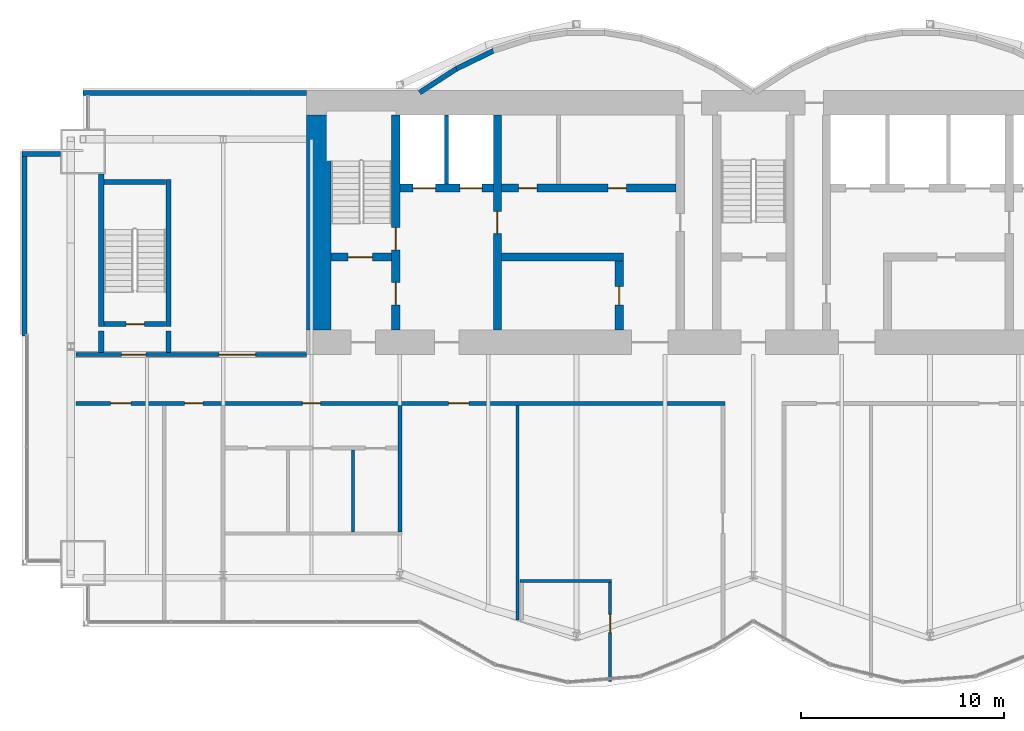
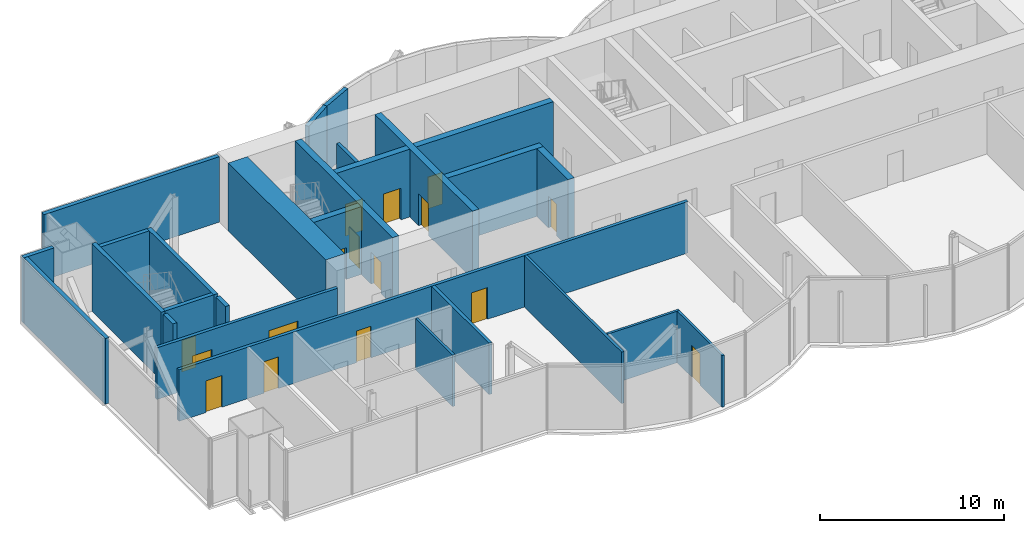
# One storey, part 12 of 18: 26 walls, 17 doors, 17 openings.
"""IFC4 building model written with IfcOpenShell, lengths in metres."""

from ifc_helpers import new_model, si_unit, direction, frame, frame_2d, origin, place, context, subcontext, project, spatial, rectangle, extrude, material, layer, layer_set, layer_usage, type_object, element, fill, save


model = new_model("IFC4")

# Units and contexts
model_context = context("Model", 3, precision=1e-05, world=origin(), true_north=direction((0.0, 1.0)))
body_context = subcontext(model_context, "Body", "Model", "MODEL_VIEW")
ifc_project = project(units=[si_unit("LENGTHUNIT", "METRE"), si_unit("AREAUNIT", "SQUARE_METRE"), si_unit("VOLUMEUNIT", "CUBIC_METRE"), si_unit("PLANEANGLEUNIT", "RADIAN"), si_unit("MASSUNIT", "GRAM", prefix="KILO")], contexts=[model_context])

# Site, building, storey
site_placement = place(None, origin())
site = spatial("IfcSite", under=ifc_project, at=site_placement, CompositionType="ELEMENT")
building_placement = place(site_placement, origin())
building = spatial("IfcBuilding", under=site, at=building_placement, Name="Bicima Exchange Tower", CompositionType="ELEMENT")
storey_placement = place(building_placement, frame((0.0, 0.0, 311.0)))
storey = spatial("IfcBuildingStorey", under=building, at=storey_placement, Name="L70", CompositionType="ELEMENT", Elevation=311.0)

# Wall
ifc_material_1 = material(Name="Gypsum board partition")
ifc_layer_1 = layer(ifc_material_1, 0.199951171875)
ifc_layer_set_1 = layer_set([ifc_layer_1], Name="Gypsum board partition")
wall_type_1 = type_object("IfcWallType", Name="Fire-rated gypsum partition 200 EI120", PredefinedType="PARTITIONING", material=ifc_layer_set_1)
wall_1_placement = place(storey_placement, frame((-15.10009765625, -4.60009765625, 0.0), z_axis=(0.0, 0.0, 1.0), x_axis=(0.0, 1.0, 0.0)))
element("IfcWall", 1, at=wall_1_placement, inside=storey, type_object=wall_type_1, Name="partition wall 9", PredefinedType="PARTITIONING", context=body_context, shape_type="SweptSolid", body=[
    extrude(rectangle(XDim=3.400146484375, YDim=0.199951171875, at=frame_2d((1.7001953125, 0.0))), origin(), (0.0, 0.0, 1.0), 3.418212890625),
])

# Wall, openings, doors
ifc_layer_2 = layer(ifc_material_1, 0.199951171875)
ifc_layer_set_2 = layer_set([ifc_layer_2], Name="Gypsum board partition")
wall_type_2 = type_object("IfcWallType", Name="Fire-rated gypsum partition 200 EI60", PredefinedType="PARTITIONING", material=ifc_layer_set_2)
wall_2_placement = place(storey_placement, frame((-33.340087890625, -15.39990234375, 0.0), z_axis=(0.0, 0.0, 1.0), x_axis=(1.0, 0.0, 0.0)))
wall_2 = element("IfcWall", 2, at=wall_2_placement, inside=storey, type_object=wall_type_2, Name="partition wall 4", PredefinedType="PARTITIONING", context=body_context, shape_type="SweptSolid", body=[
    extrude(rectangle(XDim=31.940185546875, YDim=0.199951171875, at=frame_2d((15.97021484375, 0.0))), origin(), (0.0, 0.0, 1.0), 3.418212890625),
])
opening_1_placement = place(wall_2_placement, frame((1.699951171875, 0.0, 0.0)))
opening_1 = element("IfcOpeningElement", 3, at=opening_1_placement, cuts=wall_2, Name="Opening L70-007", PredefinedType="OPENING", context=body_context, shape_type="SweptSolid", body=[
    extrude(rectangle(XDim=1.0, YDim=2.10009765625, at=frame_2d((0.5, 1.050048828125))), frame((0.0, 0.11181640625, 0.0), z_axis=(0.0, -1.0, 0.0), x_axis=(1.0, 0.0, 0.0)), (0.0, 0.0, 1.0), 0.223876953125),
])
opening_2_placement = place(wall_2_placement, frame((5.340087890625, 0.0, 0.0)))
opening_2 = element("IfcOpeningElement", 4, at=opening_2_placement, cuts=wall_2, Name="Opening L70-008", PredefinedType="OPENING", context=body_context, shape_type="SweptSolid", body=[
    extrude(rectangle(XDim=0.89990234375, YDim=2.10009765625, at=frame_2d((0.449951171875, 1.050048828125))), frame((0.0, 0.11181640625, 0.0), z_axis=(0.0, -1.0, 0.0), x_axis=(1.0, 0.0, 0.0)), (0.0, 0.0, 1.0), 0.223876953125),
])
opening_3_placement = place(wall_2_placement, frame((11.139892578125, 0.0, 0.0)))
opening_3 = element("IfcOpeningElement", 5, at=opening_3_placement, cuts=wall_2, Name="Opening L70-009", PredefinedType="OPENING", context=body_context, shape_type="SweptSolid", body=[
    extrude(rectangle(XDim=0.89990234375, YDim=2.10009765625, at=frame_2d((0.449951171875, 1.050048828125))), frame((0.0, 0.11181640625, 0.0), z_axis=(0.0, -1.0, 0.0), x_axis=(1.0, 0.0, 0.0)), (0.0, 0.0, 1.0), 0.223876953125),
])
opening_4_placement = place(wall_2_placement, frame((18.340087890625, 0.0, 0.0)))
opening_4 = element("IfcOpeningElement", 6, at=opening_4_placement, cuts=wall_2, Name="Opening L70-013", PredefinedType="OPENING", context=body_context, shape_type="SweptSolid", body=[
    extrude(rectangle(XDim=1.0, YDim=2.10009765625, at=frame_2d((0.5, 1.050048828125))), frame((0.0, 0.11181640625, 0.0), z_axis=(0.0, -1.0, 0.0), x_axis=(1.0, 0.0, 0.0)), (0.0, 0.0, 1.0), 0.223876953125),
])
ifc_material_2 = material(Name="Steel fire door leaf", Category="steel")
door_type_1 = type_object("IfcDoorType", Name="Door 1000 swing FD30S", OperationType="SINGLE_SWING_LEFT", PredefinedType="DOOR", material=ifc_material_2)
door_1_placement = place(opening_1_placement, frame((1.0, 0.0, 0.0), z_axis=(0.0, 0.0, 1.0), x_axis=(-1.0, 0.0, 0.0)))
door_1 = element("IfcDoor", 7, at=door_1_placement, inside=storey, type_object=door_type_1, Name="Door", OperationType="SINGLE_SWING_LEFT", OverallHeight=2.10009765625, OverallWidth=1.0, PredefinedType="DOOR", context=body_context, shape_type="SweptSolid", body=[
    extrude(rectangle(XDim=1.0, YDim=2.10009765625, at=frame_2d((0.5, 1.050048828125))), frame((0.0, 0.02490234375, 0.0), z_axis=(0.0, -1.0, 0.0), x_axis=(1.0, 0.0, 0.0)), (0.0, 0.0, 1.0), 0.050048828125),
])
fill(opening_1, door_1)
door_2_placement = place(opening_4_placement, frame((1.0, 0.0, 0.0), z_axis=(0.0, 0.0, 1.0), x_axis=(-1.0, 0.0, 0.0)))
door_2 = element("IfcDoor", 8, at=door_2_placement, inside=storey, type_object=door_type_1, Name="Door", OperationType="SINGLE_SWING_LEFT", OverallHeight=2.10009765625, OverallWidth=1.0, PredefinedType="DOOR", context=body_context, shape_type="SweptSolid", body=[
    extrude(rectangle(XDim=1.0, YDim=2.10009765625, at=frame_2d((0.5, 1.050048828125))), frame((0.0, 0.02490234375, 0.0), z_axis=(0.0, -1.0, 0.0), x_axis=(1.0, 0.0, 0.0)), (0.0, 0.0, 1.0), 0.050048828125),
])
fill(opening_4, door_2)
door_type_2 = type_object("IfcDoorType", Name="Door 900 swing FD30S", OperationType="SINGLE_SWING_LEFT", PredefinedType="DOOR", material=ifc_material_2)
door_3_placement = place(opening_2_placement, frame((0.89990234375, 0.0, 0.0), z_axis=(0.0, 0.0, 1.0), x_axis=(-1.0, 0.0, 0.0)))
door_3 = element("IfcDoor", 9, at=door_3_placement, inside=storey, type_object=door_type_2, Name="Door", OperationType="SINGLE_SWING_RIGHT", OverallHeight=2.10009765625, OverallWidth=0.89990234375, PredefinedType="DOOR", context=body_context, shape_type="SweptSolid", body=[
    extrude(rectangle(XDim=0.89990234375, YDim=2.10009765625, at=frame_2d((0.449951171875, 1.050048828125))), frame((0.0, 0.02490234375, 0.0), z_axis=(0.0, -1.0, 0.0), x_axis=(1.0, 0.0, 0.0)), (0.0, 0.0, 1.0), 0.050048828125),
])
fill(opening_2, door_3)
door_4_placement = place(opening_3_placement, frame((0.89990234375, 0.0, 0.0), z_axis=(0.0, 0.0, 1.0), x_axis=(-1.0, 0.0, 0.0)))
door_4 = element("IfcDoor", 10, at=door_4_placement, inside=storey, type_object=door_type_2, Name="Door", OperationType="SINGLE_SWING_RIGHT", OverallHeight=2.10009765625, OverallWidth=0.89990234375, PredefinedType="DOOR", context=body_context, shape_type="SweptSolid", body=[
    extrude(rectangle(XDim=0.89990234375, YDim=2.10009765625, at=frame_2d((0.449951171875, 1.050048828125))), frame((0.0, 0.02490234375, 0.0), z_axis=(0.0, -1.0, 0.0), x_axis=(1.0, 0.0, 0.0)), (0.0, 0.0, 1.0), 0.050048828125),
])
fill(opening_3, door_4)

wall_3_placement = place(storey_placement, frame((-33.340087890625, -13.0, 0.0), z_axis=(0.0, 0.0, 1.0), x_axis=(1.0, 0.0, 0.0)))
wall_3 = element("IfcWall", 11, at=wall_3_placement, inside=storey, type_object=wall_type_2, Name="partition wall 6", PredefinedType="PARTITIONING", context=body_context, shape_type="SweptSolid", body=[
    extrude(rectangle(XDim=11.340087890625, YDim=0.199951171875, at=frame_2d((5.669921875, 0.0))), origin(), (0.0, 0.0, 1.0), 3.418212890625),
])
opening_5_placement = place(wall_3_placement, frame((2.239990234375, 0.0, 0.0)))
opening_5 = element("IfcOpeningElement", 12, at=opening_5_placement, cuts=wall_3, Name="Opening L70-001", PredefinedType="OPENING", context=body_context, shape_type="SweptSolid", body=[
    extrude(rectangle(XDim=1.199951171875, YDim=2.10009765625, at=frame_2d((0.60009765625, 1.050048828125))), frame((0.0, 0.11181640625, 0.0), z_axis=(0.0, -1.0, 0.0), x_axis=(1.0, 0.0, 0.0)), (0.0, 0.0, 1.0), 0.223876953125),
])
opening_6_placement = place(wall_3_placement, frame((7.0400390625, 0.0, 0.0)))
opening_6 = element("IfcOpeningElement", 13, at=opening_6_placement, cuts=wall_3, Name="Opening L70-005", PredefinedType="OPENING", context=body_context, shape_type="SweptSolid", body=[
    extrude(rectangle(XDim=1.800048828125, YDim=2.10009765625, at=frame_2d((0.89990234375, 1.050048828125))), frame((0.0, 0.11181640625, 0.0), z_axis=(0.0, -1.0, 0.0), x_axis=(1.0, 0.0, 0.0)), (0.0, 0.0, 1.0), 0.223876953125),
])
door_type_3 = type_object("IfcDoorType", Name="Door 1200 swing FD30S", OperationType="SINGLE_SWING_LEFT", PredefinedType="DOOR", material=ifc_material_2)
door_5_placement = place(opening_5_placement, origin())
door_5 = element("IfcDoor", 14, at=door_5_placement, inside=storey, type_object=door_type_3, Name="Door", OperationType="SINGLE_SWING_LEFT", OverallHeight=2.10009765625, OverallWidth=1.199951171875, PredefinedType="DOOR", context=body_context, shape_type="SweptSolid", body=[
    extrude(rectangle(XDim=1.199951171875, YDim=2.10009765625, at=frame_2d((0.60009765625, 1.050048828125))), frame((0.0, 0.02490234375, 0.0), z_axis=(0.0, -1.0, 0.0), x_axis=(1.0, 0.0, 0.0)), (0.0, 0.0, 1.0), 0.050048828125),
])
fill(opening_5, door_5)
door_type_4 = type_object("IfcDoorType", Name="Door 1800 double swing FD30S", OperationType="DOUBLE_DOOR_SINGLE_SWING", PredefinedType="DOOR", material=ifc_material_2)
door_6_placement = place(opening_6_placement, origin())
door_6 = element("IfcDoor", 15, at=door_6_placement, inside=storey, type_object=door_type_4, Name="Door", OperationType="SINGLE_SWING_LEFT", OverallHeight=2.10009765625, OverallWidth=1.800048828125, PredefinedType="DOOR", context=body_context, shape_type="SweptSolid", body=[
    extrude(rectangle(XDim=1.800048828125, YDim=2.10009765625, at=frame_2d((0.89990234375, 1.050048828125))), frame((0.0, 0.02490234375, 0.0), z_axis=(0.0, -1.0, 0.0), x_axis=(1.0, 0.0, 0.0)), (0.0, 0.0, 1.0), 0.050048828125),
])
fill(opening_6, door_6)

# Walls
wall_4_placement = place(storey_placement, frame((-17.39990234375, -21.72509765625, 0.0), z_axis=(0.0, 0.0, 1.0), x_axis=(0.0, 1.0, 0.0)))
element("IfcWall", 16, at=wall_4_placement, inside=storey, type_object=wall_type_2, Name="partition wall 18", PredefinedType="PARTITIONING", context=body_context, shape_type="SweptSolid", body=[
    extrude(rectangle(XDim=6.22509765625, YDim=0.199951171875, at=frame_2d((3.112548828125, 0.0))), origin(), (0.0, 0.0, 1.0), 3.418212890625),
])
ifc_layer_3 = layer(ifc_material_1, 0.14990234375)
ifc_layer_set_3 = layer_set([ifc_layer_3], Name="Gypsum board partition")
wall_type_3 = type_object("IfcWallType", Name="Gypsum partition 150", PredefinedType="PARTITIONING", material=ifc_layer_set_3)
wall_5_placement = place(storey_placement, frame((-11.47509765625, -24.139892578125, 0.0), z_axis=(0.0, 0.0, 1.0), x_axis=(1.0, 0.0, 0.0)))
element("IfcWall", 17, at=wall_5_placement, inside=storey, type_object=wall_type_3, Name="partition wall 1", PredefinedType="PARTITIONING", context=body_context, shape_type="SweptSolid", body=[
    extrude(rectangle(XDim=4.5, YDim=0.14990234375, at=frame_2d((2.25, 0.0))), origin(), (0.0, 0.0, 1.0), 3.418212890625),
])
wall_6_placement = place(storey_placement, frame((-19.699951171875, -21.72509765625, 0.0), z_axis=(0.0, 0.0, 1.0), x_axis=(0.0, 1.0, 0.0)))
element("IfcWall", 18, at=wall_6_placement, inside=storey, type_object=wall_type_3, Name="partition wall 17", PredefinedType="PARTITIONING", context=body_context, shape_type="SweptSolid", body=[
    extrude(rectangle(XDim=4.025146484375, YDim=0.14990234375, at=frame_2d((2.0126953125, 0.0))), origin(), (0.0, 0.0, 1.0), 3.418212890625),
])
wall_7_placement = place(storey_placement, frame((-11.60009765625, -26.071044921875, 0.0), z_axis=(0.0, 0.0, 1.0), x_axis=(0.0, 1.0, 0.0)))
element("IfcWall", 19, at=wall_7_placement, inside=storey, type_object=wall_type_3, Name="partition wall 19", PredefinedType="PARTITIONING", context=body_context, shape_type="SweptSolid", body=[
    extrude(rectangle(XDim=10.571044921875, YDim=0.14990234375, at=frame_2d((5.28564453125, 0.0))), origin(), (0.0, 0.0, 1.0), 3.418212890625),
])

# Wall, opening, door
wall_8_placement = place(storey_placement, frame((-7.050048828125, -29.090087890625, 0.0), z_axis=(0.0, 0.0, 1.0), x_axis=(0.0, 1.0, 0.0)))
wall_8 = element("IfcWall", 20, at=wall_8_placement, inside=storey, type_object=wall_type_3, Name="partition wall 21", PredefinedType="PARTITIONING", context=body_context, shape_type="SweptSolid", body=[
    extrude(rectangle(XDim=4.875, YDim=0.14990234375, at=frame_2d((2.4375, 0.0))), origin(), (0.0, 0.0, 1.0), 3.418212890625),
])
opening_7_placement = place(wall_8_placement, frame((2.39990234375, 0.0, 0.0)))
opening_7 = element("IfcOpeningElement", 21, at=opening_7_placement, cuts=wall_8, Name="Opening L70-019", PredefinedType="OPENING", context=body_context, shape_type="SweptSolid", body=[
    extrude(rectangle(XDim=0.89990234375, YDim=2.10009765625, at=frame_2d((0.449951171875, 1.050048828125))), frame((0.0, 0.0869140625, 0.0), z_axis=(0.0, -1.0, 0.0), x_axis=(1.0, 0.0, 0.0)), (0.0, 0.0, 1.0), 0.173828125),
])
ifc_material_3 = material(Name="Timber door leaf", Category="wood")
door_type_5 = type_object("IfcDoorType", Name="Door 900 swing", OperationType="SINGLE_SWING_LEFT", PredefinedType="DOOR", material=ifc_material_3)
door_7_placement = place(opening_7_placement, origin())
door_7 = element("IfcDoor", 22, at=door_7_placement, inside=storey, type_object=door_type_5, Name="Door", OperationType="SINGLE_SWING_LEFT", OverallHeight=2.10009765625, OverallWidth=0.89990234375, PredefinedType="DOOR", context=body_context, shape_type="SweptSolid", body=[
    extrude(rectangle(XDim=0.89990234375, YDim=2.10009765625, at=frame_2d((0.449951171875, 1.050048828125))), frame((0.0, 0.02490234375, 0.0), z_axis=(0.0, -1.0, 0.0), x_axis=(1.0, 0.0, 0.0)), (0.0, 0.0, 1.0), 0.050048828125),
])
fill(opening_7, door_7)

# Walls
ifc_material_4 = material(Name="Concrete C40/50", Category="concrete")
ifc_layer_4 = layer(ifc_material_4, 1.199951171875)
ifc_layer_set_4 = layer_set([ifc_layer_4], Name="Concrete C40/50")
wall_type_4 = type_object("IfcWallType", Name="RC core wall 1200 C40/50", PredefinedType="SHEAR", material=ifc_layer_set_4)
wall_9_placement = place(storey_placement, frame((-21.39990234375, -11.800048828125, 0.0), z_axis=(0.0, 0.0, 1.0), x_axis=(0.0, 1.0, 0.0)))
element("IfcWall", 23, at=wall_9_placement, inside=storey, type_object=wall_type_4, Name="Core wall west", PredefinedType="SHEAR", context=body_context, shape_type="SweptSolid", body=[
    extrude(rectangle(XDim=10.60009765625, YDim=1.199951171875, at=frame_2d((5.300048828125, 0.0))), origin(), (0.0, 0.0, 1.0), 4.5),
])
ifc_material_5 = material(Name="Concrete C50/60", Category="concrete")
ifc_layer_5 = layer(ifc_material_5, 0.25)
ifc_layer_set_5 = layer_set([ifc_layer_5], Name="Concrete C50/60")
wall_type_5 = type_object("IfcWallType", Name="RC core wall 250 C50/60", PredefinedType="SHEAR", material=ifc_layer_set_5)
for number, where, z_axis, x_axis, name in (
    (24, (-32.10009765625, -12.89990234375, 0.0), (0.0, 0.0, 1.0), (0.0, 1.0, 0.0), "stair wall 12"),
    (25, (-28.800048828125, -12.89990234375, 0.0), (0.0, 0.0, 1.0), (0.0, 1.0, 0.0), "stair wall 14"),
):
    element("IfcWall", number, at=place(storey_placement, frame(where, z_axis=z_axis, x_axis=x_axis)), inside=storey, type_object=wall_type_5, Name=name, PredefinedType="SHEAR", context=body_context, shape_type="SweptSolid", body=[
        extrude(rectangle(XDim=1.0498046875, YDim=0.25, at=frame_2d((0.52490234375, 0.0))), origin(), (0.0, 0.0, 1.0), 4.5),
    ])
ifc_layer_6 = layer(ifc_material_4, 0.39990234375)
ifc_layer_set_6 = layer_set([ifc_layer_6], Name="Concrete C40/50")
wall_type_6 = type_object("IfcWallType", Name="RC core wall 400 C40/50", PredefinedType="SHEAR", material=ifc_layer_set_6)
wall_10_placement = place(storey_placement, frame((-12.39990234375, -8.199951171875, 0.0), z_axis=(0.0, 0.0, 1.0), x_axis=(1.0, 0.0, 0.0)))
element("IfcWall", 26, at=wall_10_placement, inside=storey, type_object=wall_type_6, Name="shear wall 2", PredefinedType="SHEAR", context=body_context, shape_type="SweptSolid", body=[
    extrude(rectangle(XDim=6.0, YDim=0.39990234375, at=frame_2d((3.0, 0.0))), origin(), (0.0, 0.0, 1.0), 4.5),
])

# Wall, openings, doors
wall_11_placement = place(storey_placement, frame((-17.39990234375, -4.800048828125, 0.0), z_axis=(0.0, 0.0, 1.0), x_axis=(1.0, 0.0, 0.0)))
wall_11 = element("IfcWall", 27, at=wall_11_placement, inside=storey, type_object=wall_type_6, Name="shear wall 6", PredefinedType="SHEAR", context=body_context, shape_type="SweptSolid", body=[
    extrude(rectangle(XDim=13.599853515625, YDim=0.39990234375, at=frame_2d((6.7998046875, 0.0))), origin(), (0.0, 0.0, 1.0), 4.5),
])
opening_8_placement = place(wall_11_placement, frame((0.64990234375, 0.0, 0.0)))
opening_8 = element("IfcOpeningElement", 28, at=opening_8_placement, cuts=wall_11, Name="Opening LD-FF1-L70", PredefinedType="OPENING", context=body_context, shape_type="SweptSolid", body=[
    extrude(rectangle(XDim=1.10009765625, YDim=2.10009765625, at=frame_2d((0.550048828125, 1.050048828125))), frame((0.0, 0.2119140625, 0.0), z_axis=(0.0, -1.0, 0.0), x_axis=(1.0, 0.0, 0.0)), (0.0, 0.0, 1.0), 0.423828125),
])
opening_9_placement = place(wall_11_placement, frame((2.949951171875, 0.0, 0.0)))
opening_9 = element("IfcOpeningElement", 29, at=opening_9_placement, cuts=wall_11, Name="Opening LD-FF3-L70", PredefinedType="OPENING", context=body_context, shape_type="SweptSolid", body=[
    extrude(rectangle(XDim=1.10009765625, YDim=2.10009765625, at=frame_2d((0.550048828125, 1.050048828125))), frame((0.0, 0.2119140625, 0.0), z_axis=(0.0, -1.0, 0.0), x_axis=(1.0, 0.0, 0.0)), (0.0, 0.0, 1.0), 0.423828125),
])
opening_10_placement = place(wall_11_placement, frame((5.85009765625, 0.0, 0.0)))
opening_10 = element("IfcOpeningElement", 30, at=opening_10_placement, cuts=wall_11, Name="Opening L70-C12", PredefinedType="OPENING", context=body_context, shape_type="SweptSolid", body=[
    extrude(rectangle(XDim=0.89990234375, YDim=2.10009765625, at=frame_2d((0.449951171875, 1.050048828125))), frame((0.0, 0.2119140625, 0.0), z_axis=(0.0, -1.0, 0.0), x_axis=(1.0, 0.0, 0.0)), (0.0, 0.0, 1.0), 0.423828125),
])
opening_11_placement = place(wall_11_placement, frame((10.25, 0.0, 0.0)))
opening_11 = element("IfcOpeningElement", 31, at=opening_11_placement, cuts=wall_11, Name="Opening L70-C13", PredefinedType="OPENING", context=body_context, shape_type="SweptSolid", body=[
    extrude(rectangle(XDim=0.89990234375, YDim=2.10009765625, at=frame_2d((0.449951171875, 1.050048828125))), frame((0.0, 0.2119140625, 0.0), z_axis=(0.0, -1.0, 0.0), x_axis=(1.0, 0.0, 0.0)), (0.0, 0.0, 1.0), 0.423828125),
])
door_8_placement = place(opening_10_placement, origin())
door_8 = element("IfcDoor", 32, at=door_8_placement, inside=storey, type_object=door_type_2, Name="Core door", OperationType="SINGLE_SWING_RIGHT", OverallHeight=2.10009765625, OverallWidth=0.89990234375, PredefinedType="DOOR", context=body_context, shape_type="SweptSolid", body=[
    extrude(rectangle(XDim=0.89990234375, YDim=2.10009765625, at=frame_2d((0.449951171875, 1.050048828125))), frame((0.0, 0.02490234375, 0.0), z_axis=(0.0, -1.0, 0.0), x_axis=(1.0, 0.0, 0.0)), (0.0, 0.0, 1.0), 0.050048828125),
])
fill(opening_10, door_8)
door_9_placement = place(opening_11_placement, origin())
door_9 = element("IfcDoor", 33, at=door_9_placement, inside=storey, type_object=door_type_2, Name="Core door", OperationType="SINGLE_SWING_LEFT", OverallHeight=2.10009765625, OverallWidth=0.89990234375, PredefinedType="DOOR", context=body_context, shape_type="SweptSolid", body=[
    extrude(rectangle(XDim=0.89990234375, YDim=2.10009765625, at=frame_2d((0.449951171875, 1.050048828125))), frame((0.0, 0.02490234375, 0.0), z_axis=(0.0, -1.0, 0.0), x_axis=(1.0, 0.0, 0.0)), (0.0, 0.0, 1.0), 0.050048828125),
])
fill(opening_11, door_9)
ifc_material_6 = material(Name="Stainless steel", Category="steel")
door_type_6 = type_object("IfcDoorType", Name="Lift landing door 1100 sliding", OperationType="DOUBLE_DOOR_SLIDING", PredefinedType="DOOR", material=ifc_material_6)
door_10_placement = place(opening_8_placement, origin())
door_10 = element("IfcDoor", 34, at=door_10_placement, inside=storey, type_object=door_type_6, Name="Lift landing door FF1", OperationType="DOUBLE_DOOR_SLIDING", OverallHeight=2.10009765625, OverallWidth=1.10009765625, PredefinedType="DOOR", context=body_context, shape_type="SweptSolid", body=[
    extrude(rectangle(XDim=1.10009765625, YDim=2.10009765625, at=frame_2d((0.550048828125, 1.050048828125))), frame((0.0, 0.02490234375, 0.0), z_axis=(0.0, -1.0, 0.0), x_axis=(1.0, 0.0, 0.0)), (0.0, 0.0, 1.0), 0.050048828125),
])
fill(opening_8, door_10)
door_11_placement = place(opening_9_placement, origin())
door_11 = element("IfcDoor", 35, at=door_11_placement, inside=storey, type_object=door_type_6, Name="Lift landing door FF3", OperationType="DOUBLE_DOOR_SLIDING", OverallHeight=2.10009765625, OverallWidth=1.10009765625, PredefinedType="DOOR", context=body_context, shape_type="SweptSolid", body=[
    extrude(rectangle(XDim=1.10009765625, YDim=2.10009765625, at=frame_2d((0.550048828125, 1.050048828125))), frame((0.0, 0.02490234375, 0.0), z_axis=(0.0, -1.0, 0.0), x_axis=(1.0, 0.0, 0.0)), (0.0, 0.0, 1.0), 0.050048828125),
])
fill(opening_9, door_11)

# Wall, opening, door
wall_12_placement = place(storey_placement, frame((-12.60009765625, -11.800048828125, 0.0), z_axis=(0.0, 0.0, 1.0), x_axis=(0.0, 1.0, 0.0)))
wall_12 = element("IfcWall", 36, at=wall_12_placement, inside=storey, type_object=wall_type_6, Name="shear wall 10", PredefinedType="SHEAR", context=body_context, shape_type="SweptSolid", body=[
    extrude(rectangle(XDim=10.60009765625, YDim=0.39990234375, at=frame_2d((5.300048828125, 0.0))), origin(), (0.0, 0.0, 1.0), 4.5),
])
opening_12_placement = place(wall_12_placement, frame((4.75, 0.0, 0.0)))
opening_12 = element("IfcOpeningElement", 37, at=opening_12_placement, cuts=wall_12, Name="Opening L70-C07", PredefinedType="OPENING", context=body_context, shape_type="SweptSolid", body=[
    extrude(rectangle(XDim=1.10009765625, YDim=2.10009765625, at=frame_2d((0.550048828125, 1.050048828125))), frame((0.0, 0.2119140625, 0.0), z_axis=(0.0, -1.0, 0.0), x_axis=(1.0, 0.0, 0.0)), (0.0, 0.0, 1.0), 0.423828125),
])
door_type_7 = type_object("IfcDoorType", Name="Door 1100 swing FD60S", OperationType="SINGLE_SWING_LEFT", PredefinedType="DOOR", material=ifc_material_2)
door_12_placement = place(opening_12_placement, origin())
door_12 = element("IfcDoor", 38, at=door_12_placement, inside=storey, type_object=door_type_7, Name="Core door", OperationType="SINGLE_SWING_LEFT", OverallHeight=2.10009765625, OverallWidth=1.10009765625, PredefinedType="DOOR", context=body_context, shape_type="SweptSolid", body=[
    extrude(rectangle(XDim=1.10009765625, YDim=2.10009765625, at=frame_2d((0.550048828125, 1.050048828125))), frame((0.0, 0.02490234375, 0.0), z_axis=(0.0, -1.0, 0.0), x_axis=(1.0, 0.0, 0.0)), (0.0, 0.0, 1.0), 0.050048828125),
])
fill(opening_12, door_12)

wall_13_placement = place(storey_placement, frame((-6.60009765625, -11.800048828125, 0.0), z_axis=(0.0, 0.0, 1.0), x_axis=(0.0, 1.0, 0.0)))
wall_13 = element("IfcWall", 39, at=wall_13_placement, inside=storey, type_object=wall_type_6, Name="shear wall 12", PredefinedType="SHEAR", context=body_context, shape_type="SweptSolid", body=[
    extrude(rectangle(XDim=3.400146484375, YDim=0.39990234375, at=frame_2d((1.7001953125, 0.0))), origin(), (0.0, 0.0, 1.0), 4.5),
])
opening_13_placement = place(wall_13_placement, frame((1.25, 0.0, 0.0)))
opening_13 = element("IfcOpeningElement", 40, at=opening_13_placement, cuts=wall_13, Name="Opening L70-C14", PredefinedType="OPENING", context=body_context, shape_type="SweptSolid", body=[
    extrude(rectangle(XDim=0.89990234375, YDim=2.10009765625, at=frame_2d((0.449951171875, 1.050048828125))), frame((0.0, 0.2119140625, 0.0), z_axis=(0.0, -1.0, 0.0), x_axis=(1.0, 0.0, 0.0)), (0.0, 0.0, 1.0), 0.423828125),
])
door_13_placement = place(opening_13_placement, origin())
door_13 = element("IfcDoor", 41, at=door_13_placement, inside=storey, type_object=door_type_2, Name="Core door", OperationType="SINGLE_SWING_RIGHT", OverallHeight=2.10009765625, OverallWidth=0.89990234375, PredefinedType="DOOR", context=body_context, shape_type="SweptSolid", body=[
    extrude(rectangle(XDim=0.89990234375, YDim=2.10009765625, at=frame_2d((0.449951171875, 1.050048828125))), frame((0.0, 0.02490234375, 0.0), z_axis=(0.0, -1.0, 0.0), x_axis=(1.0, 0.0, 0.0)), (0.0, 0.0, 1.0), 0.050048828125),
])
fill(opening_13, door_13)

ifc_layer_7 = layer(ifc_material_5, 0.39990234375)
ifc_layer_set_7 = layer_set([ifc_layer_7], Name="Concrete C50/60")
wall_type_7 = type_object("IfcWallType", Name="RC core wall 400 C50/60", PredefinedType="SHEAR", material=ifc_layer_set_7)
wall_14_placement = place(storey_placement, frame((-20.800048828125, -8.199951171875, 0.0), z_axis=(0.0, 0.0, 1.0), x_axis=(1.0, 0.0, 0.0)))
wall_14 = element("IfcWall", 42, at=wall_14_placement, inside=storey, type_object=wall_type_7, Name="stair wall 1", PredefinedType="SHEAR", context=body_context, shape_type="SweptSolid", body=[
    extrude(rectangle(XDim=3.0, YDim=0.39990234375, at=frame_2d((1.5, 0.0))), origin(), (0.0, 0.0, 1.0), 4.5),
])
opening_14_placement = place(wall_14_placement, frame((0.85009765625, 0.0, 0.0)))
opening_14 = element("IfcOpeningElement", 43, at=opening_14_placement, cuts=wall_14, Name="Opening L70-C01", PredefinedType="OPENING", context=body_context, shape_type="SweptSolid", body=[
    extrude(rectangle(XDim=1.199951171875, YDim=2.10009765625, at=frame_2d((0.60009765625, 1.050048828125))), frame((0.0, 0.2119140625, 0.0), z_axis=(0.0, -1.0, 0.0), x_axis=(1.0, 0.0, 0.0)), (0.0, 0.0, 1.0), 0.423828125),
])
door_type_8 = type_object("IfcDoorType", Name="Door 1200 swing FD60S", OperationType="SINGLE_SWING_LEFT", PredefinedType="DOOR", material=ifc_material_2)
door_14_placement = place(opening_14_placement, origin())
door_14 = element("IfcDoor", 44, at=door_14_placement, inside=storey, type_object=door_type_8, Name="Core door", OperationType="SINGLE_SWING_LEFT", OverallHeight=2.10009765625, OverallWidth=1.199951171875, PredefinedType="DOOR", context=body_context, shape_type="SweptSolid", body=[
    extrude(rectangle(XDim=1.199951171875, YDim=2.10009765625, at=frame_2d((0.60009765625, 1.050048828125))), frame((0.0, 0.02490234375, 0.0), z_axis=(0.0, -1.0, 0.0), x_axis=(1.0, 0.0, 0.0)), (0.0, 0.0, 1.0), 0.050048828125),
])
fill(opening_14, door_14)

# Wall, openings, doors
wall_15_placement = place(storey_placement, frame((-17.60009765625, -11.800048828125, 0.0), z_axis=(0.0, 0.0, 1.0), x_axis=(0.0, 1.0, 0.0)))
wall_15 = element("IfcWall", 45, at=wall_15_placement, inside=storey, type_object=wall_type_7, Name="stair wall 8", PredefinedType="SHEAR", context=body_context, shape_type="SweptSolid", body=[
    extrude(rectangle(XDim=10.60009765625, YDim=0.39990234375, at=frame_2d((5.300048828125, 0.0))), origin(), (0.0, 0.0, 1.0), 4.5),
])
opening_15_placement = place(wall_15_placement, frame((1.25, 0.0, 0.0)))
opening_15 = element("IfcOpeningElement", 46, at=opening_15_placement, cuts=wall_15, Name="Opening L70-C02", PredefinedType="OPENING", context=body_context, shape_type="SweptSolid", body=[
    extrude(rectangle(XDim=1.10009765625, YDim=2.10009765625, at=frame_2d((0.550048828125, 1.050048828125))), frame((0.0, 0.2119140625, 0.0), z_axis=(0.0, -1.0, 0.0), x_axis=(1.0, 0.0, 0.0)), (0.0, 0.0, 1.0), 0.423828125),
])
opening_16_placement = place(wall_15_placement, frame((3.949951171875, 0.0, 0.0)))
opening_16 = element("IfcOpeningElement", 47, at=opening_16_placement, cuts=wall_15, Name="Opening L70-C06", PredefinedType="OPENING", context=body_context, shape_type="SweptSolid", body=[
    extrude(rectangle(XDim=1.10009765625, YDim=2.10009765625, at=frame_2d((0.550048828125, 1.050048828125))), frame((0.0, 0.2119140625, 0.0), z_axis=(0.0, -1.0, 0.0), x_axis=(1.0, 0.0, 0.0)), (0.0, 0.0, 1.0), 0.423828125),
])
door_15_placement = place(opening_15_placement, frame((1.10009765625, 0.0, 0.0), z_axis=(0.0, 0.0, 1.0), x_axis=(-1.0, 0.0, 0.0)))
door_15 = element("IfcDoor", 48, at=door_15_placement, inside=storey, type_object=door_type_7, Name="Core door", OperationType="SINGLE_SWING_LEFT", OverallHeight=2.10009765625, OverallWidth=1.10009765625, PredefinedType="DOOR", context=body_context, shape_type="SweptSolid", body=[
    extrude(rectangle(XDim=1.10009765625, YDim=2.10009765625, at=frame_2d((0.550048828125, 1.050048828125))), frame((0.0, 0.02490234375, 0.0), z_axis=(0.0, -1.0, 0.0), x_axis=(1.0, 0.0, 0.0)), (0.0, 0.0, 1.0), 0.050048828125),
])
fill(opening_15, door_15)
door_16_placement = place(opening_16_placement, frame((1.10009765625, 0.0, 0.0), z_axis=(0.0, 0.0, 1.0), x_axis=(-1.0, 0.0, 0.0)))
door_16 = element("IfcDoor", 49, at=door_16_placement, inside=storey, type_object=door_type_7, Name="Core door", OperationType="SINGLE_SWING_LEFT", OverallHeight=2.10009765625, OverallWidth=1.10009765625, PredefinedType="DOOR", context=body_context, shape_type="SweptSolid", body=[
    extrude(rectangle(XDim=1.10009765625, YDim=2.10009765625, at=frame_2d((0.550048828125, 1.050048828125))), frame((0.0, 0.02490234375, 0.0), z_axis=(0.0, -1.0, 0.0), x_axis=(1.0, 0.0, 0.0)), (0.0, 0.0, 1.0), 0.050048828125),
])
fill(opening_16, door_16)

# Walls
ifc_layer_8 = layer(ifc_material_5, 0.25)
ifc_layer_set_8 = layer_set([ifc_layer_8], Name="Concrete C50/60")
wall_type_8 = type_object("IfcWallType", Name="RC stair enclosure wall 250 C50/60", PredefinedType="SHEAR", material=ifc_layer_set_8)
wall_16_placement = place(storey_placement, frame((-32.10009765625, -11.625, 0.0), z_axis=(0.0, 0.0, 1.0), x_axis=(0.0, 1.0, 0.0)))
element("IfcWall", 50, at=wall_16_placement, inside=storey, type_object=wall_type_8, Name="West end exit stair wall W", PredefinedType="SHEAR", context=body_context, shape_type="SweptSolid", body=[
    extrude(rectangle(XDim=7.52490234375, YDim=0.25, at=frame_2d((3.762451171875, 0.0))), origin(), (0.0, 0.0, 1.0), 4.5),
])
wall_17_placement = place(storey_placement, frame((-28.800048828125, -11.625, 0.0), z_axis=(0.0, 0.0, 1.0), x_axis=(0.0, 1.0, 0.0)))
element("IfcWall", 51, at=wall_17_placement, inside=storey, type_object=wall_type_8, Name="West end exit stair wall E", PredefinedType="SHEAR", context=body_context, shape_type="SweptSolid", body=[
    extrude(rectangle(XDim=7.25, YDim=0.25, at=frame_2d((3.625, 0.0))), origin(), (0.0, 0.0, 1.0), 4.5),
])

# Wall, opening, door
wall_18_placement = place(storey_placement, frame((-31.97509765625, -11.5, 0.0), z_axis=(0.0, 0.0, 1.0), x_axis=(1.0, 0.0, 0.0)))
wall_18 = element("IfcWall", 52, at=wall_18_placement, inside=storey, type_object=wall_type_8, Name="West end exit stair wall S", PredefinedType="SHEAR", context=body_context, shape_type="SweptSolid", body=[
    extrude(rectangle(XDim=3.050048828125, YDim=0.25, at=frame_2d((1.52490234375, 0.0))), origin(), (0.0, 0.0, 1.0), 4.5),
])
opening_17_placement = place(wall_18_placement, frame((1.10009765625, 0.0, 0.0)))
opening_17 = element("IfcOpeningElement", 53, at=opening_17_placement, cuts=wall_18, Name="Opening L70-002", PredefinedType="OPENING", context=body_context, shape_type="SweptSolid", body=[
    extrude(rectangle(XDim=0.89990234375, YDim=2.10009765625, at=frame_2d((0.449951171875, 1.050048828125))), frame((0.0, 0.136962890625, 0.0), z_axis=(0.0, -1.0, 0.0), x_axis=(1.0, 0.0, 0.0)), (0.0, 0.0, 1.0), 0.27392578125),
])
door_type_9 = type_object("IfcDoorType", Name="Door 900 swing FD60S", OperationType="SINGLE_SWING_LEFT", PredefinedType="DOOR", material=ifc_material_2)
door_17_placement = place(opening_17_placement, origin())
door_17 = element("IfcDoor", 54, at=door_17_placement, inside=storey, type_object=door_type_9, Name="Door", OperationType="SINGLE_SWING_LEFT", OverallHeight=2.10009765625, OverallWidth=0.89990234375, PredefinedType="DOOR", context=body_context, shape_type="SweptSolid", body=[
    extrude(rectangle(XDim=0.89990234375, YDim=2.10009765625, at=frame_2d((0.449951171875, 1.050048828125))), frame((0.0, 0.02490234375, 0.0), z_axis=(0.0, -1.0, 0.0), x_axis=(1.0, 0.0, 0.0)), (0.0, 0.0, 1.0), 0.050048828125),
])
fill(opening_17, door_17)

# Walls
wall_19_placement = place(storey_placement, frame((-31.97509765625, -4.5, 0.0), z_axis=(0.0, 0.0, 1.0), x_axis=(1.0, 0.0, 0.0)))
element("IfcWall", 55, at=wall_19_placement, inside=storey, type_object=wall_type_8, Name="West end exit stair wall N", PredefinedType="SHEAR", context=body_context, shape_type="SweptSolid", body=[
    extrude(rectangle(XDim=3.050048828125, YDim=0.25, at=frame_2d((1.52490234375, 0.0))), origin(), (0.0, 0.0, 1.0), 4.5),
])
ifc_layer_9 = layer(ifc_material_4, 0.25)
ifc_layer_set_9 = layer_set([ifc_layer_9], Name="Concrete C40/50")
ifc_layer_usage = layer_usage(ifc_layer_set_9, "AXIS2", "POSITIVE", -0.125)
wall_type_9 = type_object("IfcWallType", Name="Rear backup wall 250", PredefinedType="STANDARD", material=ifc_layer_set_9)
wall_20_placement = place(storey_placement, frame((-12.77880859375, 1.961669921875, 0.0), z_axis=(0.0, 0.0, 1.0), x_axis=(-0.89982408427, -0.436252928206, 0.0)))
element("IfcWall", 56, at=wall_20_placement, inside=storey, type_object=wall_type_9, material=ifc_layer_usage, Name="Rear backup wall L70 18", PredefinedType="STANDARD", context=body_context, shape_type="SweptSolid", body=[
    extrude(rectangle(XDim=2.03759765625, YDim=0.25, at=frame_2d((1.018798828125, 0.0))), origin(), (0.0, 0.0, 1.0), 4.35009765625),
])
wall_21_placement = place(storey_placement, frame((-14.598876953125, 1.080078125, 0.0), z_axis=(0.0, 0.0, 1.0), x_axis=(-0.83981312244, -0.542875602121, 0.0)))
element("IfcWall", 57, at=wall_21_placement, inside=storey, type_object=wall_type_9, material=ifc_layer_usage, Name="Rear backup wall L70 19", PredefinedType="STANDARD", context=body_context, shape_type="SweptSolid", body=[
    extrude(rectangle(XDim=2.182861328125, YDim=0.25, at=frame_2d((1.09130859375, 0.0))), origin(), (0.0, 0.0, 1.0), 4.35009765625),
])
wall_22_placement = place(storey_placement, frame((-22.0, -0.125, 0.0), z_axis=(0.0, 0.0, 1.0), x_axis=(-1.0, 0.0, 0.0)))
element("IfcWall", 58, at=wall_22_placement, inside=storey, type_object=wall_type_9, material=ifc_layer_usage, Name="Rear backup wall L70 20", PredefinedType="STANDARD", context=body_context, shape_type="SweptSolid", body=[
    extrude(rectangle(XDim=11.0, YDim=0.25, at=frame_2d((5.5, 0.0))), origin(), (0.0, 0.0, 1.0), 4.35009765625),
])
wall_23_placement = place(storey_placement, frame((-34.10009765625, -3.125, 0.0), z_axis=(0.0, 0.0, 1.0), x_axis=(-1.0, 0.0, 0.0)))
element("IfcWall", 59, at=wall_23_placement, inside=storey, type_object=wall_type_9, material=ifc_layer_usage, Name="Rear backup wall L70 22", PredefinedType="STANDARD", context=body_context, shape_type="SweptSolid", body=[
    extrude(rectangle(XDim=1.89990234375, YDim=0.25, at=frame_2d((0.949951171875, 0.0))), origin(), (0.0, 0.0, 1.0), 4.35009765625),
])
wall_24_placement = place(storey_placement, frame((-35.875, -3.0, 0.0), z_axis=(0.0, 0.0, 1.0), x_axis=(0.0, -1.0, 0.0)))
element("IfcWall", 60, at=wall_24_placement, inside=storey, type_object=wall_type_9, material=ifc_layer_usage, Name="Rear backup wall L70 23", PredefinedType="STANDARD", context=body_context, shape_type="SweptSolid", body=[
    extrude(rectangle(XDim=9.090087890625, YDim=0.25, at=frame_2d((4.544921875, 0.0))), origin(), (0.0, 0.0, 1.0), 4.35009765625),
])

save(model, "model.ifc")
